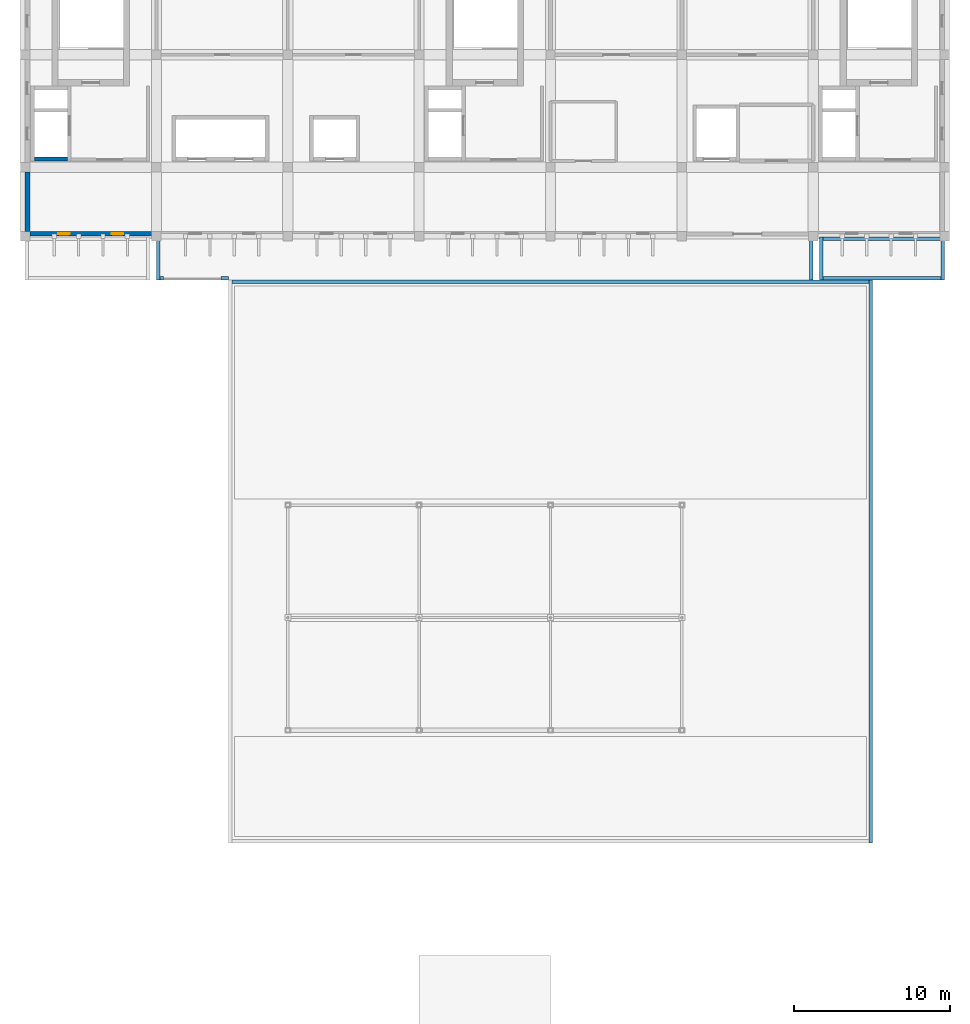
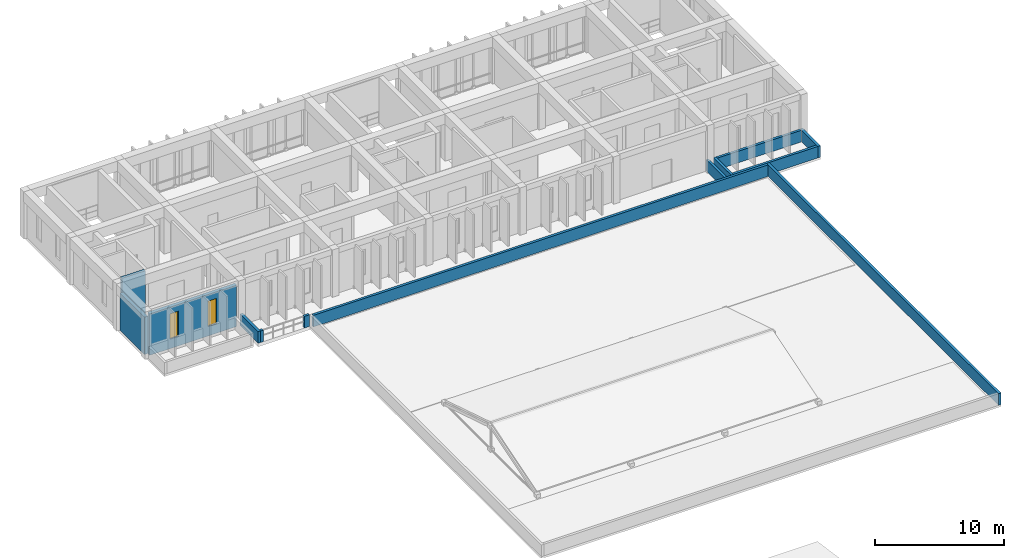
# One storey, part 11 of 16: 13 walls, 2 windows, 2 openings.
"""IFC4 building model written with IfcOpenShell, lengths in metres."""

from ifc_helpers import new_model, si_unit, direction, frame, frame_2d, origin, place, context, subcontext, project, spatial, rectangle, extrude, material, layer, layer_set, type_object, element, fill, save


model = new_model("IFC4")

# Units and contexts
model_context = context("Model", 3, precision=1e-05, world=origin(), true_north=direction((0.0, 1.0)))
body_context = subcontext(model_context, "Body", "Model", "MODEL_VIEW")
ifc_project = project(units=[si_unit("LENGTHUNIT", "METRE"), si_unit("AREAUNIT", "SQUARE_METRE"), si_unit("VOLUMEUNIT", "CUBIC_METRE"), si_unit("PLANEANGLEUNIT", "RADIAN"), si_unit("MASSUNIT", "GRAM", prefix="KILO")], contexts=[model_context])

# Site, building, storey
site_placement = place(None, origin())
site = spatial("IfcSite", under=ifc_project, at=site_placement, CompositionType="ELEMENT")
building_placement = place(site_placement, origin())
building = spatial("IfcBuilding", under=site, at=building_placement, Name="Kenerak Square Central Library", CompositionType="ELEMENT")
storey_placement = place(building_placement, frame((0.0, 0.0, 27.840087890625)))
storey = spatial("IfcBuildingStorey", under=building, at=storey_placement, Name="L06", CompositionType="ELEMENT", Elevation=27.840087890625)

# Wall, openings, windows
ifc_material_1 = material(Name="Concrete C40/50", Category="concrete")
ifc_layer_1 = layer(ifc_material_1, 0.300048828125)
ifc_layer_set_1 = layer_set([ifc_layer_1], Name="Concrete C40/50")
wall_type_1 = type_object("IfcWallType", Name="Board-Marked Brutalist Facade Wall EW-300 C40/50", PredefinedType="SOLIDWALL", material=ifc_layer_set_1)
wall_1_placement = place(storey_placement, frame((66.5, 91.75, 0.0), z_axis=(0.0, 0.0, 1.0), x_axis=(-1.0, 0.0, 0.0)))
wall_1 = element("IfcWall", 1, at=wall_1_placement, inside=storey, type_object=wall_type_1, Name="Exterior Facade Wall L06 0264", PredefinedType="SOLIDWALL", context=body_context, shape_type="SweptSolid", body=[
    extrude(rectangle(XDim=7.800048828125, YDim=0.300048828125, at=frame_2d((3.89990234375, 0.0))), origin(), (0.0, 0.0, 1.0), 3.929931640625),
])
opening_1_placement = place(wall_1_placement, frame((1.80908203125, 0.0, 0.89990234375)))
opening_1 = element("IfcOpeningElement", 2, at=opening_1_placement, cuts=wall_1, Name="Opening W-02", PredefinedType="OPENING", context=body_context, shape_type="SweptSolid", body=[
    extrude(rectangle(XDim=0.75, YDim=2.39990234375, at=frame_2d((0.375, 1.199951171875))), frame((0.0, 0.159912109375, 0.0), z_axis=(0.0, -1.0, 0.0), x_axis=(1.0, 0.0, 0.0)), (0.0, 0.0, 1.0), 0.320068359375),
])
opening_2_placement = place(wall_1_placement, frame((5.240966796875, 0.0, 0.89990234375)))
opening_2 = element("IfcOpeningElement", 3, at=opening_2_placement, cuts=wall_1, Name="Opening W-02", PredefinedType="OPENING", context=body_context, shape_type="SweptSolid", body=[
    extrude(rectangle(XDim=0.75, YDim=2.39990234375, at=frame_2d((0.375, 1.199951171875))), frame((0.0, 0.159912109375, 0.0), z_axis=(0.0, -1.0, 0.0), x_axis=(1.0, 0.0, 0.0)), (0.0, 0.0, 1.0), 0.320068359375),
])
ifc_material_2 = material(Name="Solar-control low-E laminated double glazing", Category="glass")
window_type = type_object("IfcWindowType", Name="Archive Narrow Slot Window W-02 750x2400", PartitioningType="SINGLE_PANEL", PredefinedType="WINDOW", material=ifc_material_2)
window_1_placement = place(opening_1_placement, origin())
window_1 = element("IfcWindow", 4, at=window_1_placement, inside=storey, type_object=window_type, Name="Window W-02 L06 0300", OverallHeight=2.39990234375, OverallWidth=0.75, PartitioningType="SINGLE_PANEL", PredefinedType="WINDOW", context=body_context, shape_type="SweptSolid", body=[
    extrude(rectangle(XDim=0.75, YDim=2.39990234375, at=frame_2d((0.375, 1.199951171875))), frame((0.0, 0.030029296875, 0.0), z_axis=(0.0, -1.0, 0.0), x_axis=(1.0, 0.0, 0.0)), (0.0, 0.0, 1.0), 0.06005859375),
])
fill(opening_1, window_1)
window_2_placement = place(opening_2_placement, origin())
window_2 = element("IfcWindow", 5, at=window_2_placement, inside=storey, type_object=window_type, Name="Window W-02 L06 0301", OverallHeight=2.39990234375, OverallWidth=0.75, PartitioningType="SINGLE_PANEL", PredefinedType="WINDOW", context=body_context, shape_type="SweptSolid", body=[
    extrude(rectangle(XDim=0.75, YDim=2.39990234375, at=frame_2d((0.375, 1.199951171875))), frame((0.0, 0.030029296875, 0.0), z_axis=(0.0, -1.0, 0.0), x_axis=(1.0, 0.0, 0.0)), (0.0, 0.0, 1.0), 0.06005859375),
])
fill(opening_2, window_2)

# Walls
wall_2_placement = place(storey_placement, frame((58.550048828125, 91.89990234375, 0.0), z_axis=(0.0, 0.0, 1.0), x_axis=(0.0, 1.0, 0.0)))
element("IfcWall", 6, at=wall_2_placement, inside=storey, type_object=wall_type_1, Name="Exterior Facade Wall L06 0265", PredefinedType="SOLIDWALL", context=body_context, shape_type="SweptSolid", body=[
    extrude(rectangle(XDim=3.800048828125, YDim=0.300048828125, at=frame_2d((1.89990234375, 0.0))), origin(), (0.0, 0.0, 1.0), 3.530029296875),
])
ifc_layer_2 = layer(ifc_material_1, 0.22509765625)
ifc_layer_set_2 = layer_set([ifc_layer_2], Name="Concrete C40/50")
wall_type_2 = type_object("IfcWallType", Name="Roof Parapet Wall PW-225 C40/50", PredefinedType="PARAPET", material=ifc_layer_set_2)
for number, where, z_axis, x_axis, name in (
    (7, (66.91259765625, 88.800048828125, 0.0), (0.0, 0.0, 1.0), (0.0, 1.0, 0.0), "Terrace Parapet Wall PAR-TER06-W"),
    (8, (108.6875, 91.60009765625, 0.0), (0.0, 0.0, 1.0), (0.0, -1.0, 0.0), "Terrace Parapet Wall PAR-TER06-E"),
):
    element("IfcWall", number, at=place(storey_placement, frame(where, z_axis=z_axis, x_axis=x_axis)), inside=storey, type_object=wall_type_2, Name=name, PredefinedType="PARAPET", context=body_context, shape_type="SweptSolid", body=[
        extrude(rectangle(XDim=2.800048828125, YDim=0.22509765625, at=frame_2d((1.39990234375, 0.0))), origin(), (0.0, 0.0, 1.0), 1.099853515625),
    ])
wall_3_placement = place(storey_placement, frame((67.02490234375, 88.91259765625, 0.0), z_axis=(0.0, 0.0, 1.0), x_axis=(1.0, 0.0, 0.0)))
element("IfcWall", 9, at=wall_3_placement, inside=storey, type_object=wall_type_2, Name="Terrace Parapet Wall PAR-TER06-SW", PredefinedType="PARAPET", context=body_context, shape_type="SweptSolid", body=[
    extrude(rectangle(XDim=0.235107421875, YDim=0.22509765625, at=frame_2d((0.11767578125, 0.0))), origin(), (0.0, 0.0, 1.0), 1.099853515625),
])
wall_4_placement = place(storey_placement, frame((70.93994140625, 88.91259765625, 0.0), z_axis=(0.0, 0.0, 1.0), x_axis=(1.0, 0.0, 0.0)))
element("IfcWall", 10, at=wall_4_placement, inside=storey, type_object=wall_type_2, Name="Terrace Parapet Wall PAR-TER06-SE", PredefinedType="PARAPET", context=body_context, shape_type="SweptSolid", body=[
    extrude(rectangle(XDim=0.4599609375, YDim=0.22509765625, at=frame_2d((0.22998046875, 0.0))), origin(), (0.0, 0.0, 1.0), 1.099853515625),
])
wall_5_placement = place(storey_placement, frame((112.487548828125, 88.800048828125, 0.0), z_axis=(0.0, 0.0, 1.0), x_axis=(0.0, -1.0, 0.0)))
element("IfcWall", 11, at=wall_5_placement, inside=storey, type_object=wall_type_2, Name="Core Wall PAR-L06-V4 L06 East", PredefinedType="PARAPET", context=body_context, shape_type="SweptSolid", body=[
    extrude(rectangle(XDim=36.0, YDim=0.22509765625, at=frame_2d((18.0, 0.0))), origin(), (0.0, 0.0, 1.0), 1.099853515625),
])
wall_6_placement = place(storey_placement, frame((71.625, 88.6875, 0.0), z_axis=(0.0, 0.0, 1.0), x_axis=(1.0, 0.0, 0.0)))
element("IfcWall", 12, at=wall_6_placement, inside=storey, type_object=wall_type_2, Name="Core Wall PAR-L06-V4 L06 North", PredefinedType="PARAPET", context=body_context, shape_type="SweptSolid", body=[
    extrude(rectangle(XDim=40.75, YDim=0.22509765625, at=frame_2d((20.375, 0.0))), origin(), (0.0, 0.0, 1.0), 1.099853515625),
])
for number, where, z_axis, x_axis, name in (
    (13, (109.3125, 88.800048828125, 0.0), (0.0, 0.0, 1.0), (0.0, 1.0, 0.0), "Core Wall PAR-L06-V5E L06 West"),
    (14, (117.08740234375, 91.550048828125, 0.0), (0.0, 0.0, 1.0), (0.0, -1.0, 0.0), "Core Wall PAR-L06-V5E L06 East"),
):
    element("IfcWall", number, at=place(storey_placement, frame(where, z_axis=z_axis, x_axis=x_axis)), inside=storey, type_object=wall_type_2, Name=name, PredefinedType="PARAPET", context=body_context, shape_type="SweptSolid", body=[
        extrude(rectangle(XDim=2.75, YDim=0.22509765625, at=frame_2d((1.375, 0.0))), origin(), (0.0, 0.0, 1.0), 1.099853515625),
    ])
for number, where, z_axis, x_axis, name in (
    (15, (116.97509765625, 88.91259765625, 0.0), (0.0, 0.0, 1.0), (-1.0, 0.0, 0.0), "Core Wall PAR-L06-V5E L06 South"),
    (16, (109.425048828125, 91.4375, 0.0), (0.0, 0.0, 1.0), (1.0, 0.0, 0.0), "Core Wall PAR-L06-V5E L06 North"),
):
    element("IfcWall", number, at=place(storey_placement, frame(where, z_axis=z_axis, x_axis=x_axis)), inside=storey, type_object=wall_type_2, Name=name, PredefinedType="PARAPET", context=body_context, shape_type="SweptSolid", body=[
        extrude(rectangle(XDim=7.550048828125, YDim=0.22509765625, at=frame_2d((3.77490234375, 0.0))), origin(), (0.0, 0.0, 1.0), 1.099853515625),
    ])
ifc_layer_3 = layer(ifc_material_1, 0.25)
ifc_layer_set_3 = layer_set([ifc_layer_3], Name="Concrete C40/50")
wall_type_3 = type_object("IfcWallType", Name="Shaft Enclosure Wall SW-250 C40/50", PredefinedType="SOLIDWALL", material=ifc_layer_set_3)
wall_7_placement = place(storey_placement, frame((61.10009765625, 96.52490234375, 0.0), z_axis=(0.0, 0.0, 1.0), x_axis=(-1.0, 0.0, 0.0)))
element("IfcWall", 17, at=wall_7_placement, inside=storey, type_object=wall_type_3, Name="Core Wall FLW-C1 L06 South", PredefinedType="SOLIDWALL", context=body_context, shape_type="SweptSolid", body=[
    extrude(rectangle(XDim=2.10009765625, YDim=0.25, at=frame_2d((1.050048828125, 0.0))), origin(), (0.0, 0.0, 1.0), 4.280029296875),
])

save(model, "model.ifc")
